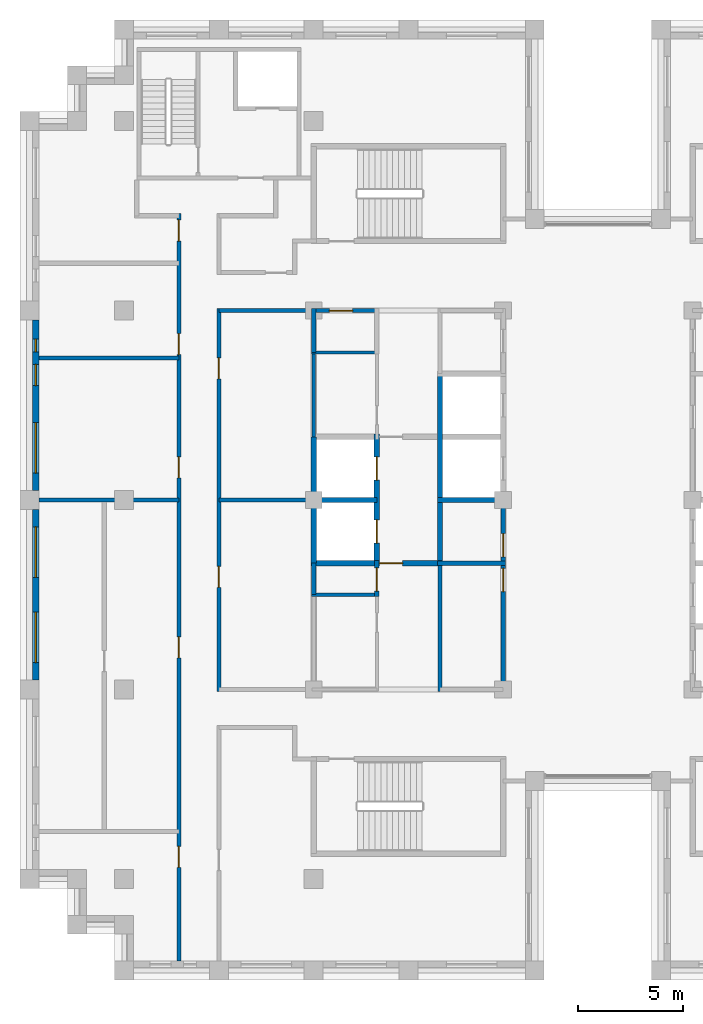
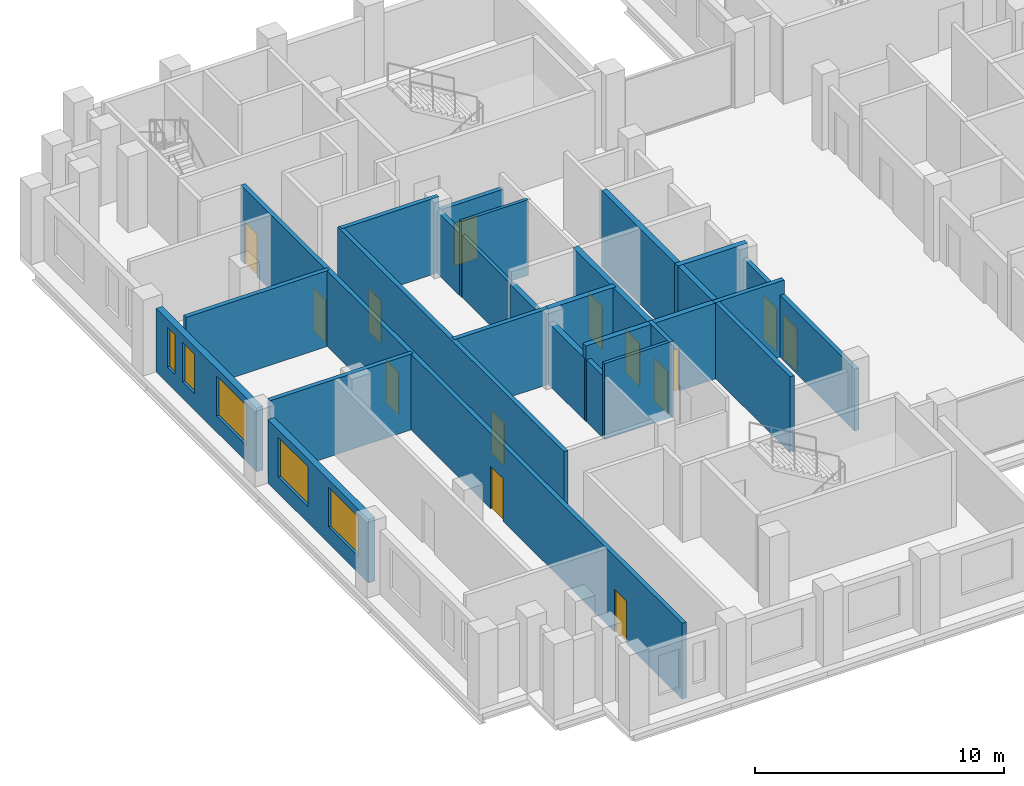
# One storey, part 7 of 13: 24 walls, 14 doors, 5 windows, 19 openings.
"""IFC4 building model written with IfcOpenShell, lengths in metres."""

from ifc_helpers import new_model, si_unit, direction, frame, frame_2d, origin, place, context, subcontext, project, spatial, rectangle, extrude, material, layer, layer_set, type_object, element, fill, save


model = new_model("IFC4")

# Units and contexts
model_context = context("Model", 3, precision=1e-05, world=origin(), true_north=direction((0.0, 1.0)))
body_context = subcontext(model_context, "Body", "Model", "MODEL_VIEW")
ifc_project = project(units=[si_unit("LENGTHUNIT", "METRE"), si_unit("AREAUNIT", "SQUARE_METRE"), si_unit("VOLUMEUNIT", "CUBIC_METRE"), si_unit("PLANEANGLEUNIT", "RADIAN"), si_unit("MASSUNIT", "GRAM", prefix="KILO")], contexts=[model_context])

# Site, building, storey
site_placement = place(None, origin())
site = spatial("IfcSite", under=ifc_project, at=site_placement, CompositionType="ELEMENT")
building_placement = place(site_placement, origin())
building = spatial("IfcBuilding", under=site, at=building_placement, Name="Corbelhall Arena Tower", CompositionType="ELEMENT")
storey_placement = place(building_placement, frame((0.0, 0.0, 274.0)))
storey = spatial("IfcBuildingStorey", under=building, at=storey_placement, Name="L59", CompositionType="ELEMENT", Elevation=274.0)

# Wall, openings, windows
ifc_material_1 = material(Name="Precast concrete C40/50 with granite facing", Category="masonry")
ifc_layer_1 = layer(ifc_material_1, 0.300048828125)
ifc_layer_set_1 = layer_set([ifc_layer_1], Name="EV-IW1 Infill panel 300")
wall_type_1 = type_object("IfcWallType", Name="EV-IW1 Infill panel 300", PredefinedType="SOLIDWALL", material=ifc_layer_set_1)
wall_1_placement = place(storey_placement, frame((-26.699951171875, 8.550048828125, 0.0), z_axis=(0.0, 0.0, 1.0), x_axis=(0.0, -1.0, 0.0)))
wall_1 = element("IfcWall", 1, at=wall_1_placement, inside=storey, type_object=wall_type_1, Name="Infill panel IW1", PredefinedType="SOLIDWALL", context=body_context, shape_type="SweptSolid", body=[
    extrude(rectangle(XDim=8.10009765625, YDim=0.300048828125, at=frame_2d((4.050048828125, 0.0))), origin(), (0.0, 0.0, 1.0), 3.1201171875),
])
opening_1_placement = place(wall_1_placement, frame((4.875, 0.0, 0.800048828125)))
opening_1 = element("IfcOpeningElement", 2, at=opening_1_placement, cuts=wall_1, Name="Opening WN1", PredefinedType="OPENING", context=body_context, shape_type="SweptSolid", body=[
    extrude(rectangle(XDim=2.39990234375, YDim=1.949951171875, at=frame_2d((1.199951171875, 0.97509765625))), frame((0.0, 0.14990234375, 0.0), z_axis=(0.0, -1.0, 0.0), x_axis=(1.0, 0.0, 0.0)), (0.0, 0.0, 1.0), 0.300048828125),
])
opening_2_placement = place(wall_1_placement, frame((0.91259765625, 0.0, 0.800048828125)))
opening_2 = element("IfcOpeningElement", 3, at=opening_2_placement, cuts=wall_1, Name="Opening WN5", PredefinedType="OPENING", context=body_context, shape_type="SweptSolid", body=[
    extrude(rectangle(XDim=0.60009765625, YDim=1.949951171875, at=frame_2d((0.300048828125, 0.97509765625))), frame((0.0, 0.14990234375, 0.0), z_axis=(0.0, -1.0, 0.0), x_axis=(1.0, 0.0, 0.0)), (0.0, 0.0, 1.0), 0.300048828125),
])
opening_3_placement = place(wall_1_placement, frame((2.112548828125, 0.0, 0.800048828125)))
opening_3 = element("IfcOpeningElement", 4, at=opening_3_placement, cuts=wall_1, Name="Opening WN6", PredefinedType="OPENING", context=body_context, shape_type="SweptSolid", body=[
    extrude(rectangle(XDim=1.0, YDim=1.949951171875, at=frame_2d((0.5, 0.97509765625))), frame((0.0, 0.14990234375, 0.0), z_axis=(0.0, -1.0, 0.0), x_axis=(1.0, 0.0, 0.0)), (0.0, 0.0, 1.0), 0.300048828125),
])
ifc_material_2 = material(Name="Aluminium black anodised", Category="aluminium")
window_type_1 = type_object("IfcWindowType", Name="EV-WN1 Office window", PartitioningType="SINGLE_PANEL", PredefinedType="WINDOW", material=ifc_material_2)
window_1_placement = place(opening_1_placement, origin())
window_1 = element("IfcWindow", 5, at=window_1_placement, inside=storey, type_object=window_type_1, Name="Window WN1", OverallHeight=1.949951171875, OverallWidth=2.39990234375, PartitioningType="SINGLE_PANEL", PredefinedType="WINDOW", context=body_context, shape_type="SweptSolid", body=[
    extrude(rectangle(XDim=2.39990234375, YDim=1.949951171875, at=frame_2d((1.199951171875, 0.97509765625))), frame((0.0, 0.030029296875, 0.0), z_axis=(0.0, -1.0, 0.0), x_axis=(1.0, 0.0, 0.0)), (0.0, 0.0, 1.0), 0.06005859375),
])
fill(opening_1, window_1)
window_type_2 = type_object("IfcWindowType", Name="EV-WN5 Office window 600", PartitioningType="SINGLE_PANEL", PredefinedType="WINDOW", material=ifc_material_2)
window_2_placement = place(opening_2_placement, origin())
window_2 = element("IfcWindow", 6, at=window_2_placement, inside=storey, type_object=window_type_2, Name="Window WN5", OverallHeight=1.949951171875, OverallWidth=0.60009765625, PartitioningType="SINGLE_PANEL", PredefinedType="WINDOW", context=body_context, shape_type="SweptSolid", body=[
    extrude(rectangle(XDim=0.60009765625, YDim=1.949951171875, at=frame_2d((0.300048828125, 0.97509765625))), frame((0.0, 0.030029296875, 0.0), z_axis=(0.0, -1.0, 0.0), x_axis=(1.0, 0.0, 0.0)), (0.0, 0.0, 1.0), 0.06005859375),
])
fill(opening_2, window_2)
window_type_3 = type_object("IfcWindowType", Name="EV-WN6 Office window 1000", PartitioningType="SINGLE_PANEL", PredefinedType="WINDOW", material=ifc_material_2)
window_3_placement = place(opening_3_placement, origin())
window_3 = element("IfcWindow", 7, at=window_3_placement, inside=storey, type_object=window_type_3, Name="Window WN6", OverallHeight=1.949951171875, OverallWidth=1.0, PartitioningType="SINGLE_PANEL", PredefinedType="WINDOW", context=body_context, shape_type="SweptSolid", body=[
    extrude(rectangle(XDim=1.0, YDim=1.949951171875, at=frame_2d((0.5, 0.97509765625))), frame((0.0, 0.030029296875, 0.0), z_axis=(0.0, -1.0, 0.0), x_axis=(1.0, 0.0, 0.0)), (0.0, 0.0, 1.0), 0.06005859375),
])
fill(opening_3, window_3)

wall_2_placement = place(storey_placement, frame((-26.699951171875, -0.449951171875, 0.0), z_axis=(0.0, 0.0, 1.0), x_axis=(0.0, -1.0, 0.0)))
wall_2 = element("IfcWall", 8, at=wall_2_placement, inside=storey, type_object=wall_type_1, Name="Infill panel IW1", PredefinedType="SOLIDWALL", context=body_context, shape_type="SweptSolid", body=[
    extrude(rectangle(XDim=8.10009765625, YDim=0.300048828125, at=frame_2d((4.050048828125, 0.0))), origin(), (0.0, 0.0, 1.0), 3.1201171875),
])
opening_4_placement = place(wall_2_placement, frame((0.824951171875, 0.0, 0.800048828125)))
opening_4 = element("IfcOpeningElement", 9, at=opening_4_placement, cuts=wall_2, Name="Opening WN1", PredefinedType="OPENING", context=body_context, shape_type="SweptSolid", body=[
    extrude(rectangle(XDim=2.39990234375, YDim=1.949951171875, at=frame_2d((1.199951171875, 0.97509765625))), frame((0.0, 0.14990234375, 0.0), z_axis=(0.0, -1.0, 0.0), x_axis=(1.0, 0.0, 0.0)), (0.0, 0.0, 1.0), 0.300048828125),
])
opening_5_placement = place(wall_2_placement, frame((4.875, 0.0, 0.800048828125)))
opening_5 = element("IfcOpeningElement", 10, at=opening_5_placement, cuts=wall_2, Name="Opening WN1", PredefinedType="OPENING", context=body_context, shape_type="SweptSolid", body=[
    extrude(rectangle(XDim=2.39990234375, YDim=1.949951171875, at=frame_2d((1.199951171875, 0.97509765625))), frame((0.0, 0.14990234375, 0.0), z_axis=(0.0, -1.0, 0.0), x_axis=(1.0, 0.0, 0.0)), (0.0, 0.0, 1.0), 0.300048828125),
])
window_4_placement = place(opening_4_placement, origin())
window_4 = element("IfcWindow", 11, at=window_4_placement, inside=storey, type_object=window_type_1, Name="Window WN1", OverallHeight=1.949951171875, OverallWidth=2.39990234375, PartitioningType="SINGLE_PANEL", PredefinedType="WINDOW", context=body_context, shape_type="SweptSolid", body=[
    extrude(rectangle(XDim=2.39990234375, YDim=1.949951171875, at=frame_2d((1.199951171875, 0.97509765625))), frame((0.0, 0.030029296875, 0.0), z_axis=(0.0, -1.0, 0.0), x_axis=(1.0, 0.0, 0.0)), (0.0, 0.0, 1.0), 0.06005859375),
])
fill(opening_4, window_4)
window_5_placement = place(opening_5_placement, origin())
window_5 = element("IfcWindow", 12, at=window_5_placement, inside=storey, type_object=window_type_1, Name="Window WN1", OverallHeight=1.949951171875, OverallWidth=2.39990234375, PartitioningType="SINGLE_PANEL", PredefinedType="WINDOW", context=body_context, shape_type="SweptSolid", body=[
    extrude(rectangle(XDim=2.39990234375, YDim=1.949951171875, at=frame_2d((1.199951171875, 0.97509765625))), frame((0.0, 0.030029296875, 0.0), z_axis=(0.0, -1.0, 0.0), x_axis=(1.0, 0.0, 0.0)), (0.0, 0.0, 1.0), 0.06005859375),
])
fill(opening_5, window_5)

# Walls
ifc_material_3 = material(Name="Gypsum board on steel stud, acoustic", Category="steel")
ifc_layer_2 = layer(ifc_material_3, 0.199951171875)
ifc_layer_set_2 = layer_set([ifc_layer_2], Name="IN-W-DM200")
wall_type_2 = type_object("IfcWallType", Name="IN-W-DM200", PredefinedType="PARTITIONING", material=ifc_layer_set_2)
for number, where, z_axis, x_axis, name in (
    (13, (-26.550048828125, 6.75, 0.0), (0.0, 0.0, 1.0), (1.0, 0.0, 0.0), "Partition 002"),
    (14, (-19.89990234375, 0.0, 0.0), (0.0, 0.0, 1.0), (-1.0, 0.0, 0.0), "Partition 005"),
):
    element("IfcWall", number, at=place(storey_placement, frame(where, z_axis=z_axis, x_axis=x_axis)), inside=storey, type_object=wall_type_2, Name=name, PredefinedType="PARTITIONING", context=body_context, shape_type="SweptSolid", body=[
        extrude(rectangle(XDim=6.650146484375, YDim=0.199951171875, at=frame_2d((3.3251953125, 0.0))), origin(), (0.0, 0.0, 1.0), 3.719970703125),
    ])

# Wall, openings, doors
wall_3_placement = place(storey_placement, frame((-19.89990234375, -21.89990234375, 0.0), z_axis=(0.0, 0.0, 1.0), x_axis=(0.0, 1.0, 0.0)))
wall_3 = element("IfcWall", 15, at=wall_3_placement, inside=storey, type_object=wall_type_2, Name="Partition 007", PredefinedType="PARTITIONING", context=body_context, shape_type="SweptSolid", body=[
    extrude(rectangle(XDim=35.5, YDim=0.199951171875, at=frame_2d((17.75, 0.0))), origin(), (0.0, 0.0, 1.0), 3.719970703125),
])
opening_6_placement = place(wall_3_placement, frame((22.949951171875, 0.0, 0.0)))
opening_6 = element("IfcOpeningElement", 16, at=opening_6_placement, cuts=wall_3, Name="Opening 18030", PredefinedType="OPENING", context=body_context, shape_type="SweptSolid", body=[
    extrude(rectangle(XDim=1.0, YDim=2.10009765625, at=frame_2d((0.5, 1.050048828125))), frame((0.0, 0.10009765625, 0.0), z_axis=(0.0, -1.0, 0.0), x_axis=(1.0, 0.0, 0.0)), (0.0, 0.0, 1.0), 0.199951171875),
])
opening_7_placement = place(wall_3_placement, frame((28.800048828125, 0.0, 0.0)))
opening_7 = element("IfcOpeningElement", 17, at=opening_7_placement, cuts=wall_3, Name="Opening 18031", PredefinedType="OPENING", context=body_context, shape_type="SweptSolid", body=[
    extrude(rectangle(XDim=1.0, YDim=2.10009765625, at=frame_2d((0.5, 1.050048828125))), frame((0.0, 0.10009765625, 0.0), z_axis=(0.0, -1.0, 0.0), x_axis=(1.0, 0.0, 0.0)), (0.0, 0.0, 1.0), 0.199951171875),
])
opening_8_placement = place(wall_3_placement, frame((34.199951171875, 0.0, 0.0)))
opening_8 = element("IfcOpeningElement", 18, at=opening_8_placement, cuts=wall_3, Name="Opening 18032", PredefinedType="OPENING", context=body_context, shape_type="SweptSolid", body=[
    extrude(rectangle(XDim=1.0, YDim=2.10009765625, at=frame_2d((0.5, 1.050048828125))), frame((0.0, 0.10009765625, 0.0), z_axis=(0.0, -1.0, 0.0), x_axis=(1.0, 0.0, 0.0)), (0.0, 0.0, 1.0), 0.199951171875),
])
opening_9_placement = place(wall_3_placement, frame((4.449951171875, 0.0, 0.0)))
opening_9 = element("IfcOpeningElement", 19, at=opening_9_placement, cuts=wall_3, Name="Opening 18033", PredefinedType="OPENING", context=body_context, shape_type="SweptSolid", body=[
    extrude(rectangle(XDim=1.0, YDim=2.10009765625, at=frame_2d((0.5, 1.050048828125))), frame((0.0, 0.10009765625, 0.0), z_axis=(0.0, -1.0, 0.0), x_axis=(1.0, 0.0, 0.0)), (0.0, 0.0, 1.0), 0.199951171875),
])
opening_10_placement = place(wall_3_placement, frame((14.39990234375, 0.0, 0.0)))
opening_10 = element("IfcOpeningElement", 20, at=opening_10_placement, cuts=wall_3, Name="Opening 18034", PredefinedType="OPENING", context=body_context, shape_type="SweptSolid", body=[
    extrude(rectangle(XDim=1.0, YDim=2.10009765625, at=frame_2d((0.5, 1.050048828125))), frame((0.0, 0.10009765625, 0.0), z_axis=(0.0, -1.0, 0.0), x_axis=(1.0, 0.0, 0.0)), (0.0, 0.0, 1.0), 0.199951171875),
])
ifc_material_4 = material(Name="Steel door set", Category="steel")
door_type_1 = type_object("IfcDoorType", Name="IN-D-SW100", OperationType="NOTDEFINED", PredefinedType="DOOR", material=ifc_material_4)
door_1_placement = place(opening_6_placement, origin())
door_1 = element("IfcDoor", 21, at=door_1_placement, inside=storey, type_object=door_type_1, Name="Door 030", OperationType="SINGLE_SWING_LEFT", OverallHeight=2.10009765625, OverallWidth=1.0, PredefinedType="DOOR", context=body_context, shape_type="SweptSolid", body=[
    extrude(rectangle(XDim=1.0, YDim=2.10009765625, at=frame_2d((0.5, 1.050048828125))), frame((0.0, 0.02490234375, 0.0), z_axis=(0.0, -1.0, 0.0), x_axis=(1.0, 0.0, 0.0)), (0.0, 0.0, 1.0), 0.050048828125),
])
fill(opening_6, door_1)
door_2_placement = place(opening_7_placement, origin())
door_2 = element("IfcDoor", 22, at=door_2_placement, inside=storey, type_object=door_type_1, Name="Door 031", OperationType="SINGLE_SWING_RIGHT", OverallHeight=2.10009765625, OverallWidth=1.0, PredefinedType="DOOR", context=body_context, shape_type="SweptSolid", body=[
    extrude(rectangle(XDim=1.0, YDim=2.10009765625, at=frame_2d((0.5, 1.050048828125))), frame((0.0, 0.02490234375, 0.0), z_axis=(0.0, -1.0, 0.0), x_axis=(1.0, 0.0, 0.0)), (0.0, 0.0, 1.0), 0.050048828125),
])
fill(opening_7, door_2)
door_3_placement = place(opening_8_placement, origin())
door_3 = element("IfcDoor", 23, at=door_3_placement, inside=storey, type_object=door_type_1, Name="Door 032", OperationType="SINGLE_SWING_LEFT", OverallHeight=2.10009765625, OverallWidth=1.0, PredefinedType="DOOR", context=body_context, shape_type="SweptSolid", body=[
    extrude(rectangle(XDim=1.0, YDim=2.10009765625, at=frame_2d((0.5, 1.050048828125))), frame((0.0, 0.02490234375, 0.0), z_axis=(0.0, -1.0, 0.0), x_axis=(1.0, 0.0, 0.0)), (0.0, 0.0, 1.0), 0.050048828125),
])
fill(opening_8, door_3)
door_4_placement = place(opening_9_placement, origin())
door_4 = element("IfcDoor", 24, at=door_4_placement, inside=storey, type_object=door_type_1, Name="Door 033", OperationType="SINGLE_SWING_RIGHT", OverallHeight=2.10009765625, OverallWidth=1.0, PredefinedType="DOOR", context=body_context, shape_type="SweptSolid", body=[
    extrude(rectangle(XDim=1.0, YDim=2.10009765625, at=frame_2d((0.5, 1.050048828125))), frame((0.0, 0.02490234375, 0.0), z_axis=(0.0, -1.0, 0.0), x_axis=(1.0, 0.0, 0.0)), (0.0, 0.0, 1.0), 0.050048828125),
])
fill(opening_9, door_4)
door_5_placement = place(opening_10_placement, origin())
door_5 = element("IfcDoor", 25, at=door_5_placement, inside=storey, type_object=door_type_1, Name="Door 034", OperationType="SINGLE_SWING_LEFT", OverallHeight=2.10009765625, OverallWidth=1.0, PredefinedType="DOOR", context=body_context, shape_type="SweptSolid", body=[
    extrude(rectangle(XDim=1.0, YDim=2.10009765625, at=frame_2d((0.5, 1.050048828125))), frame((0.0, 0.02490234375, 0.0), z_axis=(0.0, -1.0, 0.0), x_axis=(1.0, 0.0, 0.0)), (0.0, 0.0, 1.0), 0.050048828125),
])
fill(opening_10, door_5)

# Wall
wall_4_placement = place(storey_placement, frame((-18.0, 0.0, 0.0), z_axis=(0.0, 0.0, 1.0), x_axis=(1.0, 0.0, 0.0)))
element("IfcWall", 26, at=wall_4_placement, inside=storey, type_object=wall_type_2, Name="Partition 011", PredefinedType="PARTITIONING", context=body_context, shape_type="SweptSolid", body=[
    extrude(rectangle(XDim=4.5, YDim=0.199951171875, at=frame_2d((2.25, 0.0))), origin(), (0.0, 0.0, 1.0), 3.719970703125),
])

# Wall, openings, doors
wall_5_placement = place(storey_placement, frame((-18.0, 9.10009765625, 0.0), z_axis=(0.0, 0.0, 1.0), x_axis=(0.0, -1.0, 0.0)))
wall_5 = element("IfcWall", 27, at=wall_5_placement, inside=storey, type_object=wall_type_2, Name="Partition 012", PredefinedType="PARTITIONING", context=body_context, shape_type="SweptSolid", body=[
    extrude(rectangle(XDim=18.2001953125, YDim=0.199951171875, at=frame_2d((9.10009765625, 0.0))), origin(), (0.0, 0.0, 1.0), 3.719970703125),
])
opening_11_placement = place(wall_5_placement, frame((12.25, 0.0, 0.0)))
opening_11 = element("IfcOpeningElement", 28, at=opening_11_placement, cuts=wall_5, Name="Opening 18022", PredefinedType="OPENING", context=body_context, shape_type="SweptSolid", body=[
    extrude(rectangle(XDim=1.0, YDim=2.10009765625, at=frame_2d((0.5, 1.050048828125))), frame((0.0, 0.10009765625, 0.0), z_axis=(0.0, -1.0, 0.0), x_axis=(1.0, 0.0, 0.0)), (0.0, 0.0, 1.0), 0.199951171875),
])
opening_12_placement = place(wall_5_placement, frame((2.35009765625, 0.0, 0.0)))
opening_12 = element("IfcOpeningElement", 29, at=opening_12_placement, cuts=wall_5, Name="Opening 18023", PredefinedType="OPENING", context=body_context, shape_type="SweptSolid", body=[
    extrude(rectangle(XDim=1.0, YDim=2.10009765625, at=frame_2d((0.5, 1.050048828125))), frame((0.0, 0.10009765625, 0.0), z_axis=(0.0, -1.0, 0.0), x_axis=(1.0, 0.0, 0.0)), (0.0, 0.0, 1.0), 0.199951171875),
])
door_6_placement = place(opening_11_placement, origin())
door_6 = element("IfcDoor", 30, at=door_6_placement, inside=storey, type_object=door_type_1, Name="Door 022", OperationType="SINGLE_SWING_LEFT", OverallHeight=2.10009765625, OverallWidth=1.0, PredefinedType="DOOR", context=body_context, shape_type="SweptSolid", body=[
    extrude(rectangle(XDim=1.0, YDim=2.10009765625, at=frame_2d((0.5, 1.050048828125))), frame((0.0, 0.02490234375, 0.0), z_axis=(0.0, -1.0, 0.0), x_axis=(1.0, 0.0, 0.0)), (0.0, 0.0, 1.0), 0.050048828125),
])
fill(opening_11, door_6)
door_7_placement = place(opening_12_placement, origin())
door_7 = element("IfcDoor", 31, at=door_7_placement, inside=storey, type_object=door_type_1, Name="Door 023", OperationType="SINGLE_SWING_RIGHT", OverallHeight=2.10009765625, OverallWidth=1.0, PredefinedType="DOOR", context=body_context, shape_type="SweptSolid", body=[
    extrude(rectangle(XDim=1.0, YDim=2.10009765625, at=frame_2d((0.5, 1.050048828125))), frame((0.0, 0.02490234375, 0.0), z_axis=(0.0, -1.0, 0.0), x_axis=(1.0, 0.0, 0.0)), (0.0, 0.0, 1.0), 0.050048828125),
])
fill(opening_12, door_7)

# Wall
wall_6_placement = place(storey_placement, frame((-13.5, 9.0, 0.0), z_axis=(0.0, 0.0, 1.0), x_axis=(-1.0, 0.0, 0.0)))
element("IfcWall", 32, at=wall_6_placement, inside=storey, type_object=wall_type_2, Name="Partition 020", PredefinedType="PARTITIONING", context=body_context, shape_type="SweptSolid", body=[
    extrude(rectangle(XDim=4.5, YDim=0.199951171875, at=frame_2d((2.25, 0.0))), origin(), (0.0, 0.0, 1.0), 3.719970703125),
])

# Wall, opening, door
ifc_material_5 = material(Name="Concrete block wall", Category="concrete")
ifc_layer_3 = layer(ifc_material_5, 0.199951171875)
ifc_layer_set_3 = layer_set([ifc_layer_3], Name="IN-W-RS200")
wall_type_3 = type_object("IfcWallType", Name="IN-W-RS200", PredefinedType="SOLIDWALL", material=ifc_layer_set_3)
wall_7_placement = place(storey_placement, frame((-10.5, -4.574951171875, 0.0), z_axis=(0.0, 0.0, 1.0), x_axis=(0.0, 1.0, 0.0)))
wall_7 = element("IfcWall", 33, at=wall_7_placement, inside=storey, type_object=wall_type_3, Name="Partition 046", PredefinedType="SOLIDWALL", context=body_context, shape_type="SweptSolid", body=[
    extrude(rectangle(XDim=1.699951171875, YDim=0.199951171875, at=frame_2d((0.85009765625, 0.0))), origin(), (0.0, 0.0, 1.0), 3.719970703125),
])
opening_13_placement = place(wall_7_placement, frame((0.25, 0.0, 0.0)))
opening_13 = element("IfcOpeningElement", 34, at=opening_13_placement, cuts=wall_7, Name="Opening 18007", PredefinedType="OPENING", context=body_context, shape_type="SweptSolid", body=[
    extrude(rectangle(XDim=1.10009765625, YDim=2.10009765625, at=frame_2d((0.550048828125, 1.050048828125))), frame((0.0, 0.10009765625, 0.0), z_axis=(0.0, -1.0, 0.0), x_axis=(1.0, 0.0, 0.0)), (0.0, 0.0, 1.0), 0.199951171875),
])
door_type_2 = type_object("IfcDoorType", Name="IN-D-FD110", OperationType="NOTDEFINED", PredefinedType="DOOR", material=ifc_material_4)
door_8_placement = place(opening_13_placement, origin())
door_8 = element("IfcDoor", 35, at=door_8_placement, inside=storey, type_object=door_type_2, Name="Door 007", OperationType="SINGLE_SWING_RIGHT", OverallHeight=2.10009765625, OverallWidth=1.10009765625, PredefinedType="DOOR", context=body_context, shape_type="SweptSolid", body=[
    extrude(rectangle(XDim=1.10009765625, YDim=2.10009765625, at=frame_2d((0.550048828125, 1.050048828125))), frame((0.0, 0.02490234375, 0.0), z_axis=(0.0, -1.0, 0.0), x_axis=(1.0, 0.0, 0.0)), (0.0, 0.0, 1.0), 0.050048828125),
])
fill(opening_13, door_8)

# Walls
wall_8_placement = place(storey_placement, frame((-7.625, -3.0, 0.0), z_axis=(0.0, 0.0, 1.0), x_axis=(1.0, 0.0, 0.0)))
element("IfcWall", 36, at=wall_8_placement, inside=storey, type_object=wall_type_3, Name="Partition 048", PredefinedType="SOLIDWALL", context=body_context, shape_type="SweptSolid", body=[
    extrude(rectangle(XDim=3.22509765625, YDim=0.199951171875, at=frame_2d((1.612548828125, 0.0))), origin(), (0.0, 0.0, 1.0), 3.719970703125),
])
wall_9_placement = place(storey_placement, frame((-7.5, -9.10009765625, 0.0), z_axis=(0.0, 0.0, 1.0), x_axis=(0.0, 1.0, 0.0)))
element("IfcWall", 37, at=wall_9_placement, inside=storey, type_object=wall_type_3, Name="Partition 049", PredefinedType="SOLIDWALL", context=body_context, shape_type="SweptSolid", body=[
    extrude(rectangle(XDim=6.22509765625, YDim=0.199951171875, at=frame_2d((3.112548828125, 0.0))), origin(), (0.0, 0.0, 1.0), 3.719970703125),
])

# Wall, opening, door
ifc_layer_4 = layer(ifc_material_5, 0.199951171875)
ifc_layer_set_4 = layer_set([ifc_layer_4], Name="IN-W-RS200 under beam 678 mm")
wall_type_4 = type_object("IfcWallType", Name="IN-W-RS200 under beam 678 mm", PredefinedType="SOLIDWALL", material=ifc_layer_set_4)
wall_10_placement = place(storey_placement, frame((-13.60009765625, 9.0, 0.0), z_axis=(0.0, 0.0, 1.0), x_axis=(1.0, 0.0, 0.0)))
wall_10 = element("IfcWall", 38, at=wall_10_placement, inside=storey, type_object=wall_type_4, Name="Partition 043", PredefinedType="SOLIDWALL", context=body_context, shape_type="SweptSolid", body=[
    extrude(rectangle(XDim=3.10009765625, YDim=0.199951171875, at=frame_2d((1.550048828125, 0.0))), origin(), (0.0, 0.0, 1.0), 3.041748046875),
])
opening_14_placement = place(wall_10_placement, frame((0.85009765625, 0.0, 0.0)))
opening_14 = element("IfcOpeningElement", 39, at=opening_14_placement, cuts=wall_10, Name="Opening 18009", PredefinedType="OPENING", context=body_context, shape_type="SweptSolid", body=[
    extrude(rectangle(XDim=1.10009765625, YDim=2.10009765625, at=frame_2d((0.550048828125, 1.050048828125))), frame((0.0, 0.10009765625, 0.0), z_axis=(0.0, -1.0, 0.0), x_axis=(1.0, 0.0, 0.0)), (0.0, 0.0, 1.0), 0.199951171875),
])
door_9_placement = place(opening_14_placement, origin())
door_9 = element("IfcDoor", 40, at=door_9_placement, inside=storey, type_object=door_type_2, Name="Door 009", OperationType="SINGLE_SWING_RIGHT", OverallHeight=2.10009765625, OverallWidth=1.10009765625, PredefinedType="DOOR", context=body_context, shape_type="SweptSolid", body=[
    extrude(rectangle(XDim=1.10009765625, YDim=2.10009765625, at=frame_2d((0.550048828125, 1.050048828125))), frame((0.0, 0.02490234375, 0.0), z_axis=(0.0, -1.0, 0.0), x_axis=(1.0, 0.0, 0.0)), (0.0, 0.0, 1.0), 0.050048828125),
])
fill(opening_14, door_9)

# Walls
wall_11_placement = place(storey_placement, frame((-13.5, -4.5, 0.0), z_axis=(0.0, 0.0, 1.0), x_axis=(0.0, 1.0, 0.0)))
element("IfcWall", 41, at=wall_11_placement, inside=storey, type_object=wall_type_4, Name="Partition 044", PredefinedType="SOLIDWALL", context=body_context, shape_type="SweptSolid", body=[
    extrude(rectangle(XDim=1.5, YDim=0.199951171875, at=frame_2d((0.75, 0.0))), origin(), (0.0, 0.0, 1.0), 3.041748046875),
])
wall_12_placement = place(storey_placement, frame((-13.5, 7.0, 0.0), z_axis=(0.0, 0.0, 1.0), x_axis=(0.0, 1.0, 0.0)))
element("IfcWall", 42, at=wall_12_placement, inside=storey, type_object=wall_type_4, Name="Partition 045", PredefinedType="SOLIDWALL", context=body_context, shape_type="SweptSolid", body=[
    extrude(rectangle(XDim=2.10009765625, YDim=0.199951171875, at=frame_2d((1.050048828125, 0.0))), origin(), (0.0, 0.0, 1.0), 3.041748046875),
])

# Wall, openings, doors
wall_13_placement = place(storey_placement, frame((-4.5, 0.0, 0.0), z_axis=(0.0, 0.0, 1.0), x_axis=(0.0, -1.0, 0.0)))
wall_13 = element("IfcWall", 43, at=wall_13_placement, inside=storey, type_object=wall_type_4, Name="Partition 053", PredefinedType="SOLIDWALL", context=body_context, shape_type="SweptSolid", body=[
    extrude(rectangle(XDim=9.10009765625, YDim=0.199951171875, at=frame_2d((4.550048828125, 0.0))), origin(), (0.0, 0.0, 1.0), 3.041748046875),
])
opening_15_placement = place(wall_13_placement, frame((3.25, 0.0, 0.0)))
opening_15 = element("IfcOpeningElement", 44, at=opening_15_placement, cuts=wall_13, Name="Opening 18001", PredefinedType="OPENING", context=body_context, shape_type="SweptSolid", body=[
    extrude(rectangle(XDim=1.10009765625, YDim=2.10009765625, at=frame_2d((0.550048828125, 1.050048828125))), frame((0.0, 0.10009765625, 0.0), z_axis=(0.0, -1.0, 0.0), x_axis=(1.0, 0.0, 0.0)), (0.0, 0.0, 1.0), 0.199951171875),
])
opening_16_placement = place(wall_13_placement, frame((1.60009765625, 0.0, 0.0)))
opening_16 = element("IfcOpeningElement", 45, at=opening_16_placement, cuts=wall_13, Name="Opening 18002", PredefinedType="OPENING", context=body_context, shape_type="SweptSolid", body=[
    extrude(rectangle(XDim=1.10009765625, YDim=2.10009765625, at=frame_2d((0.550048828125, 1.050048828125))), frame((0.0, 0.10009765625, 0.0), z_axis=(0.0, -1.0, 0.0), x_axis=(1.0, 0.0, 0.0)), (0.0, 0.0, 1.0), 0.199951171875),
])
door_10_placement = place(opening_15_placement, origin())
door_10 = element("IfcDoor", 46, at=door_10_placement, inside=storey, type_object=door_type_2, Name="Door 001", OperationType="SINGLE_SWING_RIGHT", OverallHeight=2.10009765625, OverallWidth=1.10009765625, PredefinedType="DOOR", context=body_context, shape_type="SweptSolid", body=[
    extrude(rectangle(XDim=1.10009765625, YDim=2.10009765625, at=frame_2d((0.550048828125, 1.050048828125))), frame((0.0, 0.02490234375, 0.0), z_axis=(0.0, -1.0, 0.0), x_axis=(1.0, 0.0, 0.0)), (0.0, 0.0, 1.0), 0.050048828125),
])
fill(opening_15, door_10)
door_11_placement = place(opening_16_placement, origin())
door_11 = element("IfcDoor", 47, at=door_11_placement, inside=storey, type_object=door_type_2, Name="Door 002", OperationType="SINGLE_SWING_LEFT", OverallHeight=2.10009765625, OverallWidth=1.10009765625, PredefinedType="DOOR", context=body_context, shape_type="SweptSolid", body=[
    extrude(rectangle(XDim=1.10009765625, YDim=2.10009765625, at=frame_2d((0.550048828125, 1.050048828125))), frame((0.0, 0.02490234375, 0.0), z_axis=(0.0, -1.0, 0.0), x_axis=(1.0, 0.0, 0.0)), (0.0, 0.0, 1.0), 0.050048828125),
])
fill(opening_16, door_11)

# Wall
ifc_material_6 = material(Name="Concrete C40/50", Category="concrete")
ifc_layer_5 = layer(ifc_material_6, 0.25)
ifc_layer_set_5 = layer_set([ifc_layer_5], Name="IN-W-SH250")
wall_type_5 = type_object("IfcWallType", Name="IN-W-SH250", PredefinedType="SOLIDWALL", material=ifc_layer_set_5)
wall_14_placement = place(storey_placement, frame((-13.625, 0.0, 0.0), z_axis=(0.0, 0.0, 1.0), x_axis=(1.0, 0.0, 0.0)))
element("IfcWall", 48, at=wall_14_placement, inside=storey, type_object=wall_type_5, Name="Shaft wall 067", PredefinedType="SOLIDWALL", context=body_context, shape_type="SweptSolid", body=[
    extrude(rectangle(XDim=3.125, YDim=0.25, at=frame_2d((1.5625, 0.0))), origin(), (0.0, 0.0, 1.0), 3.719970703125),
])

# Wall, opening, door
wall_15_placement = place(storey_placement, frame((-13.625, -3.0, 0.0), z_axis=(0.0, 0.0, 1.0), x_axis=(1.0, 0.0, 0.0)))
wall_15 = element("IfcWall", 49, at=wall_15_placement, inside=storey, type_object=wall_type_5, Name="Shaft wall 070", PredefinedType="SOLIDWALL", context=body_context, shape_type="SweptSolid", body=[
    extrude(rectangle(XDim=6.125, YDim=0.25, at=frame_2d((3.0625, 0.0))), origin(), (0.0, 0.0, 1.0), 3.719970703125),
])
opening_17_placement = place(wall_15_placement, frame((3.25, 0.0, 0.0)))
opening_17 = element("IfcOpeningElement", 50, at=opening_17_placement, cuts=wall_15, Name="Opening 18004", PredefinedType="OPENING", context=body_context, shape_type="SweptSolid", body=[
    extrude(rectangle(XDim=1.10009765625, YDim=2.10009765625, at=frame_2d((0.550048828125, 1.050048828125))), frame((0.0, 0.125, 0.0), z_axis=(0.0, -1.0, 0.0), x_axis=(1.0, 0.0, 0.0)), (0.0, 0.0, 1.0), 0.25),
])
door_12_placement = place(opening_17_placement, origin())
door_12 = element("IfcDoor", 51, at=door_12_placement, inside=storey, type_object=door_type_2, Name="Door 004", OperationType="SINGLE_SWING_LEFT", OverallHeight=2.10009765625, OverallWidth=1.10009765625, PredefinedType="DOOR", context=body_context, shape_type="SweptSolid", body=[
    extrude(rectangle(XDim=1.10009765625, YDim=2.10009765625, at=frame_2d((0.550048828125, 1.050048828125))), frame((0.0, 0.02490234375, 0.0), z_axis=(0.0, -1.0, 0.0), x_axis=(1.0, 0.0, 0.0)), (0.0, 0.0, 1.0), 0.050048828125),
])
fill(opening_17, door_12)

# Wall, openings, doors
wall_16_placement = place(storey_placement, frame((-10.5, -3.125, 0.0), z_axis=(0.0, 0.0, 1.0), x_axis=(0.0, 1.0, 0.0)))
wall_16 = element("IfcWall", 52, at=wall_16_placement, inside=storey, type_object=wall_type_5, Name="Shaft wall 071", PredefinedType="SOLIDWALL", context=body_context, shape_type="SweptSolid", body=[
    extrude(rectangle(XDim=6.25, YDim=0.25, at=frame_2d((3.125, 0.0))), origin(), (0.0, 0.0, 1.0), 3.719970703125),
])
opening_18_placement = place(wall_16_placement, frame((1.074951171875, 0.0, 0.0)))
opening_18 = element("IfcOpeningElement", 53, at=opening_18_placement, cuts=wall_16, Name="Opening LD", PredefinedType="OPENING", context=body_context, shape_type="SweptSolid", body=[
    extrude(rectangle(XDim=1.10009765625, YDim=2.10009765625, at=frame_2d((0.550048828125, 1.050048828125))), frame((0.0, 0.125, 0.0), z_axis=(0.0, -1.0, 0.0), x_axis=(1.0, 0.0, 0.0)), (0.0, 0.0, 1.0), 0.25),
])
opening_19_placement = place(wall_16_placement, frame((4.074951171875, 0.0, 0.0)))
opening_19 = element("IfcOpeningElement", 54, at=opening_19_placement, cuts=wall_16, Name="Opening LD", PredefinedType="OPENING", context=body_context, shape_type="SweptSolid", body=[
    extrude(rectangle(XDim=1.10009765625, YDim=2.10009765625, at=frame_2d((0.550048828125, 1.050048828125))), frame((0.0, 0.125, 0.0), z_axis=(0.0, -1.0, 0.0), x_axis=(1.0, 0.0, 0.0)), (0.0, 0.0, 1.0), 0.25),
])
door_type_3 = type_object("IfcDoorType", Name="IN-D-LD110", OperationType="NOTDEFINED", PredefinedType="DOOR", material=ifc_material_4)
door_13_placement = place(opening_18_placement, origin())
door_13 = element("IfcDoor", 55, at=door_13_placement, inside=storey, type_object=door_type_3, Name="Landing door W3", OperationType="SLIDING_TO_LEFT", OverallHeight=2.10009765625, OverallWidth=1.10009765625, PredefinedType="DOOR", context=body_context, shape_type="SweptSolid", body=[
    extrude(rectangle(XDim=1.10009765625, YDim=2.10009765625, at=frame_2d((0.550048828125, 1.050048828125))), frame((0.0, 0.02490234375, 0.0), z_axis=(0.0, -1.0, 0.0), x_axis=(1.0, 0.0, 0.0)), (0.0, 0.0, 1.0), 0.050048828125),
])
fill(opening_18, door_13)
door_14_placement = place(opening_19_placement, origin())
door_14 = element("IfcDoor", 56, at=door_14_placement, inside=storey, type_object=door_type_3, Name="Landing door W4", OperationType="SLIDING_TO_LEFT", OverallHeight=2.10009765625, OverallWidth=1.10009765625, PredefinedType="DOOR", context=body_context, shape_type="SweptSolid", body=[
    extrude(rectangle(XDim=1.10009765625, YDim=2.10009765625, at=frame_2d((0.550048828125, 1.050048828125))), frame((0.0, 0.02490234375, 0.0), z_axis=(0.0, -1.0, 0.0), x_axis=(1.0, 0.0, 0.0)), (0.0, 0.0, 1.0), 0.050048828125),
])
fill(opening_19, door_14)

# Walls
wall_17_placement = place(storey_placement, frame((-7.625, 0.0, 0.0), z_axis=(0.0, 0.0, 1.0), x_axis=(1.0, 0.0, 0.0)))
element("IfcWall", 57, at=wall_17_placement, inside=storey, type_object=wall_type_5, Name="Shaft wall 072", PredefinedType="SOLIDWALL", context=body_context, shape_type="SweptSolid", body=[
    extrude(rectangle(XDim=3.25, YDim=0.25, at=frame_2d((1.625, 0.0))), origin(), (0.0, 0.0, 1.0), 3.719970703125),
])
wall_18_placement = place(storey_placement, frame((-7.5, -3.125, 0.0), z_axis=(0.0, 0.0, 1.0), x_axis=(0.0, 1.0, 0.0)))
element("IfcWall", 58, at=wall_18_placement, inside=storey, type_object=wall_type_5, Name="Shaft wall 074", PredefinedType="SOLIDWALL", context=body_context, shape_type="SweptSolid", body=[
    extrude(rectangle(XDim=9.125, YDim=0.25, at=frame_2d((4.5625, 0.0))), origin(), (0.0, 0.0, 1.0), 3.719970703125),
])
ifc_layer_6 = layer(ifc_material_6, 0.25)
ifc_layer_set_6 = layer_set([ifc_layer_6], Name="IN-W-SH250 under beam 678 mm")
wall_type_6 = type_object("IfcWallType", Name="IN-W-SH250 under beam 678 mm", PredefinedType="SOLIDWALL", material=ifc_layer_set_6)
wall_19_placement = place(storey_placement, frame((-13.5, -3.0, 0.0), z_axis=(0.0, 0.0, 1.0), x_axis=(0.0, 1.0, 0.0)))
element("IfcWall", 59, at=wall_19_placement, inside=storey, type_object=wall_type_6, Name="Shaft wall 069", PredefinedType="SOLIDWALL", context=body_context, shape_type="SweptSolid", body=[
    extrude(rectangle(XDim=6.0, YDim=0.25, at=frame_2d((3.0, 0.0))), origin(), (0.0, 0.0, 1.0), 3.041748046875),
])
ifc_material_7 = material(Name="Gypsum board on steel stud, moisture resistant", Category="steel")
ifc_layer_7 = layer(ifc_material_7, 0.14990234375)
ifc_layer_set_7 = layer_set([ifc_layer_7], Name="IN-W-WC150")
wall_type_7 = type_object("IfcWallType", Name="IN-W-WC150", PredefinedType="PARTITIONING", material=ifc_layer_set_7)
for number, where, z_axis, x_axis, name in (
    (60, (-13.60009765625, -4.5, 0.0), (0.0, 0.0, 1.0), (1.0, 0.0, 0.0), "Partition 102"),
    (61, (-13.60009765625, 7.0, 0.0), (0.0, 0.0, 1.0), (1.0, 0.0, 0.0), "Partition 103"),
):
    element("IfcWall", number, at=place(storey_placement, frame(where, z_axis=z_axis, x_axis=x_axis)), inside=storey, type_object=wall_type_7, Name=name, PredefinedType="PARTITIONING", context=body_context, shape_type="SweptSolid", body=[
        extrude(rectangle(XDim=3.10009765625, YDim=0.14990234375, at=frame_2d((1.550048828125, 0.0))), origin(), (0.0, 0.0, 1.0), 3.719970703125),
    ])
ifc_layer_8 = layer(ifc_material_7, 0.14990234375)
ifc_layer_set_8 = layer_set([ifc_layer_8], Name="IN-W-WC150 under beam 678 mm")
wall_type_8 = type_object("IfcWallType", Name="IN-W-WC150 under beam 678 mm", PredefinedType="PARTITIONING", material=ifc_layer_set_8)
wall_20_placement = place(storey_placement, frame((-13.5, 3.0, 0.0), z_axis=(0.0, 0.0, 1.0), x_axis=(0.0, 1.0, 0.0)))
element("IfcWall", 62, at=wall_20_placement, inside=storey, type_object=wall_type_8, Name="Partition 105", PredefinedType="PARTITIONING", context=body_context, shape_type="SweptSolid", body=[
    extrude(rectangle(XDim=4.0, YDim=0.14990234375, at=frame_2d((2.0, 0.0))), origin(), (0.0, 0.0, 1.0), 3.041748046875),
])

save(model, "model.ifc")
